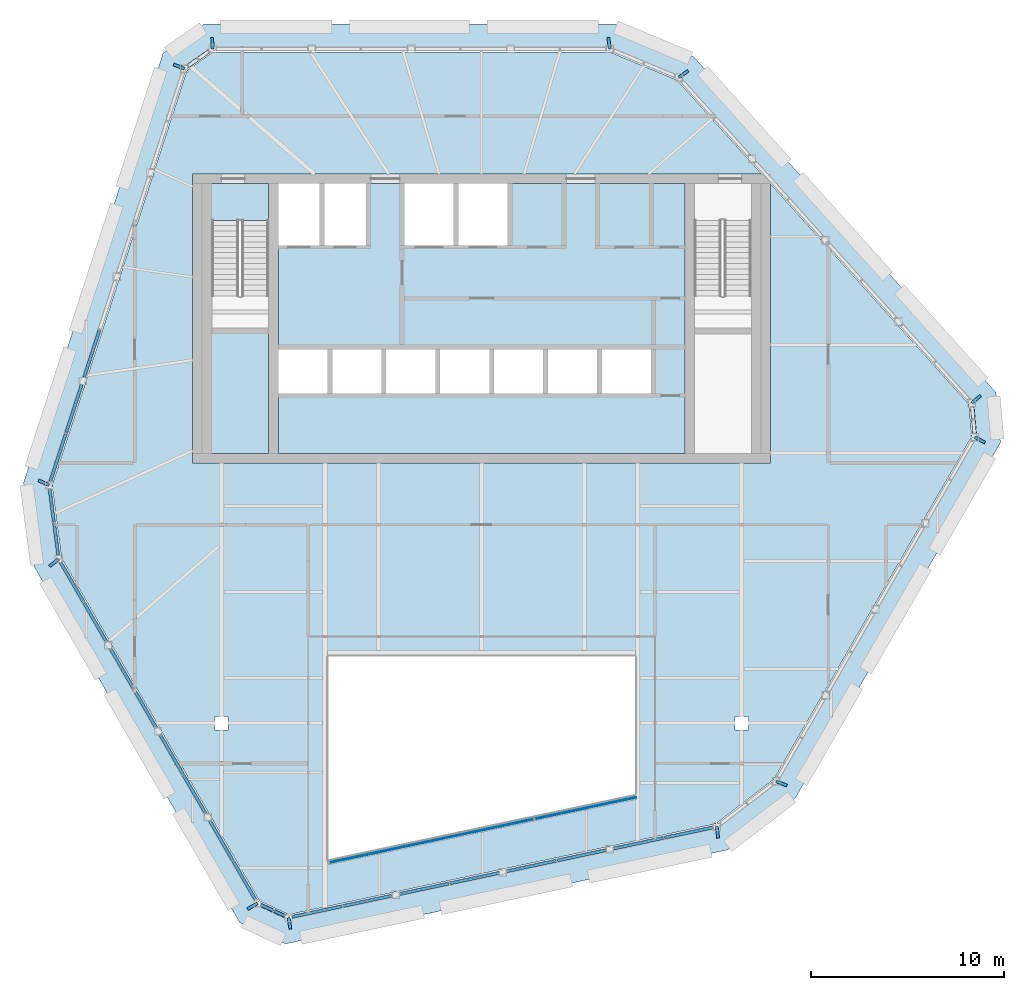
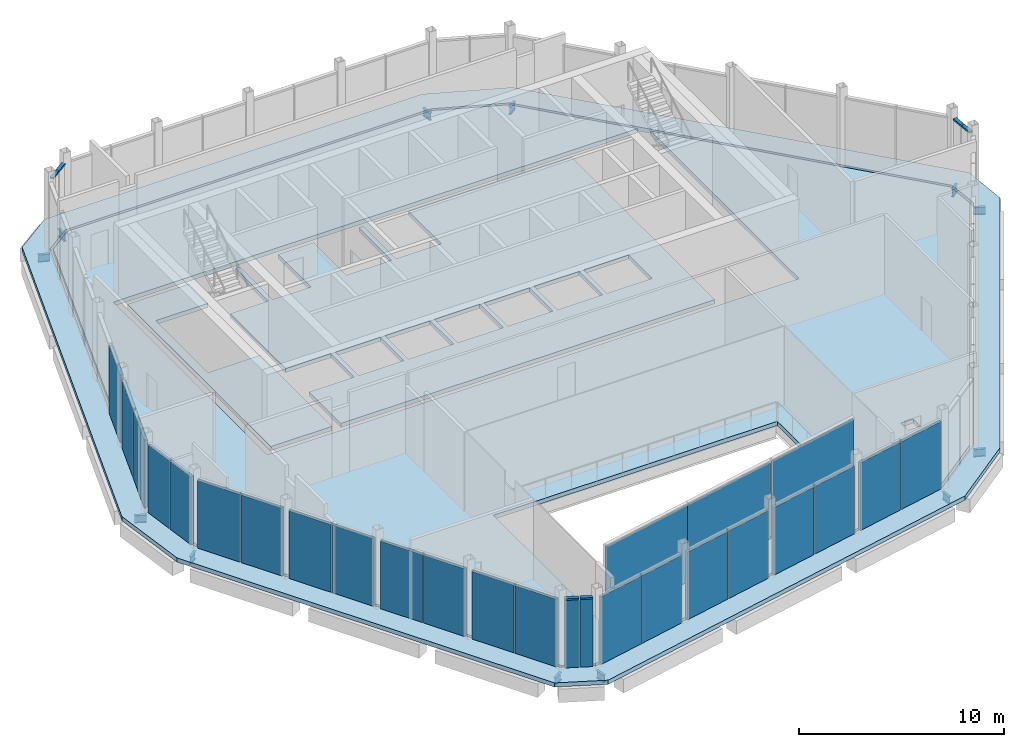
# One storey, part 7 of 12: 26 plates, 12 beams, 6 members, 4 slabs, 8 elements without a shape of their own.
"""IFC4 building model written with IfcOpenShell, lengths in metres."""

from ifc_helpers import new_model, si_unit, direction, frame, origin, origin_2d, place, context, subcontext, project, spatial, polyline, rectangle, i_section, outline, extrude, material, layer, layer_set, material_profile, profile_set, type_object, element, aggregate, save


model = new_model("IFC4")

# Units and contexts
model_context = context("Model", 3, precision=1e-05, world=origin(), true_north=direction((0.0, 1.0)))
body_context = subcontext(model_context, "Body", "Model", "MODEL_VIEW")
ifc_project = project(units=[si_unit("LENGTHUNIT", "METRE"), si_unit("AREAUNIT", "SQUARE_METRE"), si_unit("VOLUMEUNIT", "CUBIC_METRE"), si_unit("PLANEANGLEUNIT", "RADIAN"), si_unit("MASSUNIT", "GRAM", prefix="KILO")], contexts=[model_context])

# Site, building, storey
site_placement = place(None, origin())
site = spatial("IfcSite", under=ifc_project, at=site_placement, CompositionType="ELEMENT")
building_placement = place(site_placement, origin())
building = spatial("IfcBuilding", under=site, at=building_placement, Name="Isthmus Gate Tower", CompositionType="ELEMENT")
storey_placement = place(building_placement, frame((0.0, 0.0, 301.10009765625)))
storey = spatial("IfcBuildingStorey", under=building, at=storey_placement, Name="C1", CompositionType="ELEMENT", Elevation=301.10009765625)

# Curtain wall, members
ifc_material_1 = material(Name="Aluminium, pale champagne anodised", Category="aluminium")
ifc_layer_1 = layer(ifc_material_1, 0.199951171875)
ifc_layer_set_1 = layer_set([ifc_layer_1], Name="CW-2 LOUVRE CURTAIN WALL 200 DEEP")
curtain_wall_type_1 = type_object("IfcCurtainWallType", Name="CW-2 LOUVRE CURTAIN WALL 200 DEEP", PredefinedType="NOTDEFINED", material=ifc_layer_set_1)
curtain_wall_1_placement = place(storey_placement, origin())
curtain_wall_1 = element("IfcCurtainWall", 1, at=curtain_wall_1_placement, inside=storey, type_object=curtain_wall_type_1, Name="CW-2 E01 C1", PredefinedType="NOTDEFINED")
ifc_material_2 = material(Name="Aluminium, pale champagne anodised", Category="aluminium")
ifc_material_profile_1 = material_profile(ifc_material_2, rectangle(XDim=0.199951171875, YDim=0.10009765625, at=origin_2d()), Name="200x100")
ifc_profile_set_1 = profile_set([ifc_material_profile_1], Name="Aluminium, pale champagne anodised")
member_type = type_object("IfcMemberType", Name="CW-2 TRANSOM 200 X 100", PredefinedType="USERDEFINED", material=ifc_profile_set_1)
member_1_placement = place(storey_placement, frame((-14.135498046875, 21.383056640625, 4.083984375), z_axis=(-0.818010863048, -0.575202771148, 0.0), x_axis=(0.575202771148, -0.818010863048, 0.0)))
member_1 = element("IfcMember", 2, at=member_1_placement, type_object=member_type, Name="CW-2 transom", ObjectType="TRANSOM", PredefinedType="USERDEFINED", context=body_context, shape_type="SweptSolid", body=[
    extrude(rectangle(XDim=0.199951171875, YDim=0.10009765625, at=origin_2d()), origin(), (0.0, 0.0, 1.0), 0.686767578125),
])
member_2_placement = place(storey_placement, frame((-14.74609375, 20.953369140625, 4.083984375), z_axis=(-0.817948972464, -0.575290777299, 0.0), x_axis=(0.575290777299, -0.817948972464, 0.0)))
member_2 = element("IfcMember", 3, at=member_2_placement, type_object=member_type, Name="CW-2 transom", ObjectType="TRANSOM", PredefinedType="USERDEFINED", context=body_context, shape_type="SweptSolid", body=[
    extrude(rectangle(XDim=0.199951171875, YDim=0.10009765625, at=origin_2d()), origin(), (0.0, 0.0, 1.0), 0.626708984375),
])
aggregate(curtain_wall_1, [member_1, member_2])

curtain_wall_2_placement = place(storey_placement, origin())
curtain_wall_2 = element("IfcCurtainWall", 4, at=curtain_wall_2_placement, inside=storey, type_object=curtain_wall_type_1, Name="CW-2 E05 C1", PredefinedType="NOTDEFINED")
member_3_placement = place(storey_placement, frame((-11.450439453125, -22.933349609375, 4.083984375), z_axis=(0.907198069931, -0.420703769788, 0.0), x_axis=(0.420703769788, 0.907198069931, 0.0)))
member_3 = element("IfcMember", 5, at=member_3_placement, type_object=member_type, Name="CW-2 transom", ObjectType="TRANSOM", PredefinedType="USERDEFINED", context=body_context, shape_type="SweptSolid", body=[
    extrude(rectangle(XDim=0.199951171875, YDim=0.10009765625, at=origin_2d()), origin(), (0.0, 0.0, 1.0), 0.6865234375),
])
member_4_placement = place(storey_placement, frame((-10.773193359375, -23.247314453125, 4.083984375), z_axis=(0.90720547109, -0.420687809694, 0.0), x_axis=(0.420687809694, 0.90720547109, 0.0)))
member_4 = element("IfcMember", 6, at=member_4_placement, type_object=member_type, Name="CW-2 transom", ObjectType="TRANSOM", PredefinedType="USERDEFINED", context=body_context, shape_type="SweptSolid", body=[
    extrude(rectangle(XDim=0.199951171875, YDim=0.10009765625, at=origin_2d()), origin(), (0.0, 0.0, 1.0), 0.626708984375),
])

curtain_wall_3_placement = place(storey_placement, origin())
curtain_wall_3 = element("IfcCurtainWall", 7, at=curtain_wall_3_placement, inside=storey, type_object=curtain_wall_type_1, Name="CW-2 E09 C1", PredefinedType="NOTDEFINED")
member_5_placement = place(storey_placement, frame((25.5859375, 1.55029296875, 4.083984375), z_axis=(-0.089253213464, 0.996008967774, 0.0), x_axis=(-0.996008967774, -0.089253213464, 0.0)))
member_5 = element("IfcMember", 8, at=member_5_placement, type_object=member_type, Name="CW-2 transom", ObjectType="TRANSOM", PredefinedType="USERDEFINED", context=body_context, shape_type="SweptSolid", body=[
    extrude(rectangle(XDim=0.199951171875, YDim=0.10009765625, at=origin_2d()), origin(), (0.0, 0.0, 1.0), 0.6865234375),
])
member_6_placement = place(storey_placement, frame((25.519287109375, 2.2939453125, 4.083984375), z_axis=(-0.089235685941, 0.996010538275, 0.0), x_axis=(-0.996010538275, -0.089235685941, 0.0)))
member_6 = element("IfcMember", 9, at=member_6_placement, type_object=member_type, Name="CW-2 transom", ObjectType="TRANSOM", PredefinedType="USERDEFINED", context=body_context, shape_type="SweptSolid", body=[
    extrude(rectangle(XDim=0.199951171875, YDim=0.10009765625, at=origin_2d()), origin(), (0.0, 0.0, 1.0), 0.62646484375),
])
aggregate(curtain_wall_3, [member_5, member_6])

# Beams
ifc_material_3 = material(Name="Structural steel ASTM A992 Gr 50", Category="steel")
ifc_material_profile_2 = material_profile(ifc_material_3, i_section(OverallWidth=0.15234375, OverallDepth=0.45068359375, WebThickness=0.0078125, FlangeThickness=0.010986328125, at=origin_2d()), Name="W18X35")
ifc_profile_set_2 = profile_set([ifc_material_profile_2], Name="Structural steel ASTM A992 Gr 50")
beam_type = type_object("IfcBeamType", Name="STEEL LEDGE BEAM W18X35", PredefinedType="JOIST", material=ifc_profile_set_2)
beam_1_placement = place(storey_placement, frame((6.659912109375, 21.5, -0.4755859375), z_axis=(-0.141759638025, 0.989901108711, 0.0), x_axis=(-0.989901108711, -0.141759638025, 0.0)))
element("IfcBeam", 10, at=beam_1_placement, inside=storey, type_object=beam_type, Name="str-ringstub-C1-01", PredefinedType="JOIST", context=body_context, shape_type="SweptSolid", body=[
    extrude(i_section(OverallWidth=0.15234375, OverallDepth=0.45068359375, WebThickness=0.0078125, FlangeThickness=0.010986328125, at=origin_2d()), origin(), (0.0, 0.0, 1.0), 0.606201171875),
])
beam_2_placement = place(storey_placement, frame((-13.96923828125, 21.5, -0.4755859375), z_axis=(-0.023589853458, 0.999721720687, 0.0), x_axis=(-0.999721720687, -0.023589853458, 0.0)))
element("IfcBeam", 11, at=beam_2_placement, inside=storey, type_object=beam_type, Name="str-ringstub-C1-02", PredefinedType="JOIST", context=body_context, shape_type="SweptSolid", body=[
    extrude(i_section(OverallWidth=0.15234375, OverallDepth=0.45068359375, WebThickness=0.0078125, FlangeThickness=0.010986328125, at=origin_2d()), origin(), (0.0, 0.0, 1.0), 0.600341796875),
])
beam_3_placement = place(storey_placement, frame((-15.425048828125, 20.475830078125, -0.4755859375), z_axis=(-0.935238981571, 0.354017015623, 0.0), x_axis=(-0.354017015623, -0.935238981571, 0.0)))
element("IfcBeam", 12, at=beam_3_placement, inside=storey, type_object=beam_type, Name="str-ringstub-C1-03", PredefinedType="JOIST", context=body_context, shape_type="SweptSolid", body=[
    extrude(i_section(OverallWidth=0.15234375, OverallDepth=0.45068359375, WebThickness=0.0078125, FlangeThickness=0.010986328125, at=origin_2d()), origin(), (0.0, 0.0, 1.0), 0.6005859375),
])
beam_4_placement = place(storey_placement, frame((-22.449462890625, -1.1435546875, -0.4755859375), z_axis=(-0.913076021901, 0.407789379741, 0.0), x_axis=(-0.407789379741, -0.913076021901, 0.0)))
element("IfcBeam", 13, at=beam_4_placement, inside=storey, type_object=beam_type, Name="str-ringstub-C1-04", PredefinedType="JOIST", context=body_context, shape_type="SweptSolid", body=[
    extrude(i_section(OverallWidth=0.15234375, OverallDepth=0.45068359375, WebThickness=0.0078125, FlangeThickness=0.010986328125, at=origin_2d()), origin(), (0.0, 0.0, 1.0), 0.603515625),
])
beam_5_placement = place(storey_placement, frame((-21.949462890625, -4.982177734375, -0.4755859375), z_axis=(-0.78626242668, -0.617892706213, 0.0), x_axis=(0.617892706213, -0.78626242668, 0.0)))
element("IfcBeam", 14, at=beam_5_placement, inside=storey, type_object=beam_type, Name="str-ringstub-C1-05", PredefinedType="JOIST", context=body_context, shape_type="SweptSolid", body=[
    extrude(i_section(OverallWidth=0.15234375, OverallDepth=0.45068359375, WebThickness=0.0078125, FlangeThickness=0.010986328125, at=origin_2d()), origin(), (0.0, 0.0, 1.0), 0.606201171875),
])
beam_6_placement = place(storey_placement, frame((-11.634765625, -22.847900390625, -0.4755859375), z_axis=(-0.85406501844, -0.520166265993, 0.0), x_axis=(0.520166265993, -0.85406501844, 0.0)))
element("IfcBeam", 15, at=beam_6_placement, inside=storey, type_object=beam_type, Name="str-ringstub-C1-06", PredefinedType="JOIST", context=body_context, shape_type="SweptSolid", body=[
    extrude(i_section(OverallWidth=0.15234375, OverallDepth=0.45068359375, WebThickness=0.0078125, FlangeThickness=0.010986328125, at=origin_2d()), origin(), (0.0, 0.0, 1.0), 0.600341796875),
])
beam_7_placement = place(storey_placement, frame((-10.020263671875, -23.596435546875, -0.4755859375), z_axis=(0.161366208903, -0.986894597525, 0.0), x_axis=(0.986894597525, 0.161366208903, 0.0)))
element("IfcBeam", 16, at=beam_7_placement, inside=storey, type_object=beam_type, Name="str-ringstub-C1-07", PredefinedType="JOIST", context=body_context, shape_type="SweptSolid", body=[
    extrude(i_section(OverallWidth=0.15234375, OverallDepth=0.45068359375, WebThickness=0.0078125, FlangeThickness=0.010986328125, at=origin_2d()), origin(), (0.0, 0.0, 1.0), 0.6005859375),
])
beam_8_placement = place(storey_placement, frame((12.215087890625, -18.8701171875, -0.4755859375), z_axis=(0.103589404972, -0.994620146175, 0.0), x_axis=(0.994620146175, 0.103589404972, 0.0)))
element("IfcBeam", 17, at=beam_8_placement, inside=storey, type_object=beam_type, Name="str-ringstub-C1-08", PredefinedType="JOIST", context=body_context, shape_type="SweptSolid", body=[
    extrude(i_section(OverallWidth=0.15234375, OverallDepth=0.45068359375, WebThickness=0.0078125, FlangeThickness=0.010986328125, at=origin_2d()), origin(), (0.0, 0.0, 1.0), 0.603271484375),
])
beam_9_placement = place(storey_placement, frame((15.28955078125, -16.517822265625, -0.4755859375), z_axis=(0.928337746809, -0.371737848288, 0.0), x_axis=(0.371737848288, 0.928337746809, 0.0)))
element("IfcBeam", 18, at=beam_9_placement, inside=storey, type_object=beam_type, Name="str-ringstub-C1-09", PredefinedType="JOIST", context=body_context, shape_type="SweptSolid", body=[
    extrude(i_section(OverallWidth=0.15234375, OverallDepth=0.45068359375, WebThickness=0.0078125, FlangeThickness=0.010986328125, at=origin_2d()), origin(), (0.0, 0.0, 1.0), 0.606201171875),
])
beam_10_placement = place(storey_placement, frame((25.604248046875, 1.347900390625, -0.4755859375), z_axis=(0.877475476437, -0.479621505201, 0.0), x_axis=(0.479621505201, 0.877475476437, 0.0)))
element("IfcBeam", 19, at=beam_10_placement, inside=storey, type_object=beam_type, Name="str-ringstub-C1-10", PredefinedType="JOIST", context=body_context, shape_type="SweptSolid", body=[
    extrude(i_section(OverallWidth=0.15234375, OverallDepth=0.45068359375, WebThickness=0.0078125, FlangeThickness=0.010986328125, at=origin_2d()), origin(), (0.0, 0.0, 1.0), 0.60009765625),
])
beam_11_placement = place(storey_placement, frame((25.445068359375, 3.120361328125, -0.4755859375), z_axis=(0.77408401454, 0.633082884332, 0.0), x_axis=(-0.633082884332, 0.77408401454, 0.0)))
element("IfcBeam", 20, at=beam_11_placement, inside=storey, type_object=beam_type, Name="str-ringstub-C1-11", PredefinedType="JOIST", context=body_context, shape_type="SweptSolid", body=[
    extrude(i_section(OverallWidth=0.15234375, OverallDepth=0.45068359375, WebThickness=0.0078125, FlangeThickness=0.010986328125, at=origin_2d()), origin(), (0.0, 0.0, 1.0), 0.600830078125),
])
beam_12_placement = place(storey_placement, frame((10.234375, 20.013671875, -0.4755859375), z_axis=(0.809749842777, 0.586775248389, 0.0), x_axis=(-0.586775248389, 0.809749842777, 0.0)))
element("IfcBeam", 21, at=beam_12_placement, inside=storey, type_object=beam_type, Name="str-ringstub-C1-12", PredefinedType="JOIST", context=body_context, shape_type="SweptSolid", body=[
    extrude(i_section(OverallWidth=0.15234375, OverallDepth=0.45068359375, WebThickness=0.0078125, FlangeThickness=0.010986328125, at=origin_2d()), origin(), (0.0, 0.0, 1.0), 0.603271484375),
])

# Slabs
ifc_material_4 = material(Name="Concrete f'c 40 MPa", Category="concrete")
ifc_layer_2 = layer(ifc_material_4, 0.25)
ifc_layer_set_2 = layer_set([ifc_layer_2], Name="CORE FLOOR SLAB 250")
slab_type_1 = type_object("IfcSlabType", Name="CORE FLOOR SLAB 250", PredefinedType="FLOOR", material=ifc_layer_set_2)
slab_1_placement = place(storey_placement, frame((0.0, 0.0, -0.25)))
element("IfcSlab", 22, at=slab_1_placement, inside=storey, type_object=slab_type_1, Name="C1 core floor", PredefinedType="FLOOR", context=body_context, shape_type="SweptSolid", body=[
    extrude(outline(polyline([(-11.050048828125, 0.5), (-11.050048828125, 7.5), (-14.0, 7.5), (-14.0, 12.597900390625), (-11.050048828125, 12.597900390625), (-11.050048828125, 14.5), (-14.5, 14.5), (-14.5, 0.5), (-11.050048828125, 0.5)])), origin(), (0.0, 0.0, 1.0), 0.25),
])
slab_2_placement = place(storey_placement, frame((0.0, 0.0, -0.25)))
element("IfcSlab", 23, at=slab_2_placement, inside=storey, type_object=slab_type_1, Name="C1 core floor", PredefinedType="FLOOR", context=body_context, shape_type="SweptSolid", body=[
    extrude(outline(polyline([(10.550048828125, 14.5), (1.35009765625, 14.5), (1.35009765625, 11.300048828125), (-1.199951171875, 11.300048828125), (-1.199951171875, 14.5), (-1.449951171875, 14.5), (-1.449951171875, 11.300048828125), (-4.0, 11.300048828125), (-4.0, 14.5), (-6.0, 14.5), (-6.0, 11.300048828125), (-8.14990234375, 11.300048828125), (-8.14990234375, 14.5), (-8.39990234375, 14.5), (-8.39990234375, 11.300048828125), (-10.550048828125, 11.300048828125), (-10.550048828125, 5.89990234375), (-8.0, 5.89990234375), (-8.0, 3.60009765625), (-10.550048828125, 3.60009765625), (-10.550048828125, 0.5), (10.550048828125, 0.5), (10.550048828125, 14.5)]), holes=[polyline([(-5.199951171875, 5.89990234375), (-5.199951171875, 3.60009765625), (-7.75, 3.60009765625), (-7.75, 5.89990234375), (-5.199951171875, 5.89990234375)]), polyline([(-2.39990234375, 5.89990234375), (-2.39990234375, 3.60009765625), (-4.949951171875, 3.60009765625), (-4.949951171875, 5.89990234375), (-2.39990234375, 5.89990234375)]), polyline([(0.39990234375, 5.89990234375), (0.39990234375, 3.60009765625), (-2.14990234375, 3.60009765625), (-2.14990234375, 5.89990234375), (0.39990234375, 5.89990234375)]), polyline([(3.199951171875, 5.89990234375), (3.199951171875, 3.60009765625), (0.64990234375, 3.60009765625), (0.64990234375, 5.89990234375), (3.199951171875, 5.89990234375)]), polyline([(6.0, 5.89990234375), (6.0, 3.60009765625), (3.449951171875, 3.60009765625), (3.449951171875, 5.89990234375), (6.0, 5.89990234375)]), polyline([(8.800048828125, 5.89990234375), (8.800048828125, 3.60009765625), (6.25, 3.60009765625), (6.25, 5.89990234375), (8.800048828125, 5.89990234375)])]), origin(), (0.0, 0.0, 1.0), 0.25),
])
ifc_material_5 = material(Name="Concrete f'c 40 MPa", Category="concrete")
ifc_layer_3 = layer(ifc_material_5, 0.25)
ifc_layer_set_3 = layer_set([ifc_layer_3], Name="CROWN PLANT FLOOR SLAB 250")
slab_type_2 = type_object("IfcSlabType", Name="CROWN PLANT FLOOR SLAB 250", PredefinedType="FLOOR", material=ifc_layer_set_3)
slab_3_placement = place(storey_placement, frame((0.0, 0.0, -0.25)))
element("IfcSlab", 24, at=slab_3_placement, inside=storey, type_object=slab_type_2, Name="str-slab-C1-1", PredefinedType="FLOOR", context=body_context, shape_type="SweptSolid", body=[
    extrude(outline(polyline([(10.1455078125, 19.88818359375), (14.546875, 15.0), (-15.0, 15.0), (-15.0, 0.0), (15.0, 0.0), (15.0, 14.496826171875), (25.30029296875, 3.05712890625), (25.45068359375, 1.381591796875), (15.174560546875, -16.416748046875), (12.15087890625, -18.73046875), (-10.00244140625, -23.439208984375), (-11.52880859375, -22.731689453125), (-21.8046875, -4.93310546875), (-22.29638671875, -1.15771484375), (-15.297607421875, 20.382080078125), (-13.921875, 21.35009765625), (6.630126953125, 21.35009765625), (10.1455078125, 19.88818359375)]), holes=[polyline([(-8.0, -10.0), (-8.0, -20.611083984375), (8.0, -17.210205078125), (8.0, -10.0), (-8.0, -10.0)]), polyline([(-13.85009765625, -13.14990234375), (-13.85009765625, -13.85009765625), (-13.14990234375, -13.85009765625), (-13.14990234375, -13.14990234375), (-13.85009765625, -13.14990234375)]), polyline([(13.14990234375, -13.14990234375), (13.14990234375, -13.85009765625), (13.85009765625, -13.85009765625), (13.85009765625, -13.14990234375), (13.14990234375, -13.14990234375)])]), origin(), (0.0, 0.0, 1.0), 0.25),
])

# Curtain wall, plates
curtain_wall_4_placement = place(storey_placement, origin())
curtain_wall_4 = element("IfcCurtainWall", 25, at=curtain_wall_4_placement, inside=storey, type_object=curtain_wall_type_1, Name="CW-2 E02 C1", PredefinedType="NOTDEFINED")
ifc_material_6 = material(Name="Aluminium louvre blades, pale champagne anodised", Category="aluminium")
ifc_layer_4 = layer(ifc_material_6, 0.159912109375)
ifc_layer_set_4 = layer_set([ifc_layer_4], Name="CW-2 LOUVRE PANEL 160")
plate_type_1 = type_object("IfcPlateType", Name="CW-2 LOUVRE PANEL 160", PredefinedType="CURTAIN_PANEL", material=ifc_layer_set_4)
plate_1_placement = place(storey_placement, frame((-20.232177734375, 5.6806640625, -0.000244140625), z_axis=(0.0, 0.0, 1.0), x_axis=(-0.309016994375, -0.951056516295, 0.0)))
plate_1 = element("IfcPlate", 26, at=plate_1_placement, type_object=plate_type_1, Name="CW-2 louvre panel", PredefinedType="CURTAIN_PANEL", context=body_context, shape_type="SweptSolid", body=[
    extrude(rectangle(XDim=2.578369140625, YDim=0.159912109375, at=origin_2d()), origin(), (0.0, 0.0, 1.0), 4.0341796875),
])
plate_2_placement = place(storey_placement, frame((-21.163818359375, 2.8134765625, -0.000244140625), z_axis=(0.0, 0.0, 1.0), x_axis=(-0.309016994375, -0.951056516295, 0.0)))
plate_2 = element("IfcPlate", 27, at=plate_2_placement, type_object=plate_type_1, Name="CW-2 louvre panel", PredefinedType="CURTAIN_PANEL", context=body_context, shape_type="SweptSolid", body=[
    extrude(rectangle(XDim=2.638427734375, YDim=0.159912109375, at=origin_2d()), origin(), (0.0, 0.0, 1.0), 4.0341796875),
])
plate_3_placement = place(storey_placement, frame((-21.98828125, 0.275634765625, -0.000244140625), z_axis=(0.0, 0.0, 1.0), x_axis=(-0.309016994375, -0.951056516295, 0.0)))
plate_3 = element("IfcPlate", 28, at=plate_3_placement, type_object=plate_type_1, Name="CW-2 louvre panel", PredefinedType="CURTAIN_PANEL", context=body_context, shape_type="SweptSolid", body=[
    extrude(rectangle(XDim=2.578369140625, YDim=0.159912109375, at=origin_2d()), origin(), (0.0, 0.0, 1.0), 4.0341796875),
])
aggregate(curtain_wall_4, [plate_1, plate_2, plate_3])

curtain_wall_5_placement = place(storey_placement, origin())
curtain_wall_5 = element("IfcCurtainWall", 29, at=curtain_wall_5_placement, inside=storey, type_object=curtain_wall_type_1, Name="CW-2 E03 C1", PredefinedType="NOTDEFINED")
plate_4_placement = place(storey_placement, frame((-22.3115234375, -2.2041015625, -0.000244140625), z_axis=(0.0, 0.0, 1.0), x_axis=(0.129164534, -0.991623175988, 0.0)))
plate_4 = element("IfcPlate", 30, at=plate_4_placement, type_object=plate_type_1, Name="CW-2 louvre panel", PredefinedType="CURTAIN_PANEL", context=body_context, shape_type="SweptSolid", body=[
    extrude(rectangle(XDim=1.732421875, YDim=0.159912109375, at=origin_2d()), origin(), (0.0, 0.0, 1.0), 4.0341796875),
])
plate_5_placement = place(storey_placement, frame((-22.083740234375, -3.95166015625, -0.000244140625), z_axis=(0.0, 0.0, 1.0), x_axis=(0.129164534, -0.991623175988, 0.0)))
plate_5 = element("IfcPlate", 31, at=plate_5_placement, type_object=plate_type_1, Name="CW-2 louvre panel", PredefinedType="CURTAIN_PANEL", context=body_context, shape_type="SweptSolid", body=[
    extrude(rectangle(XDim=1.67236328125, YDim=0.159912109375, at=origin_2d()), origin(), (0.0, 0.0, 1.0), 4.0341796875),
])
aggregate(curtain_wall_5, [plate_4, plate_5])

curtain_wall_6_placement = place(storey_placement, origin())
curtain_wall_6 = element("IfcCurtainWall", 32, at=curtain_wall_6_placement, inside=storey, type_object=curtain_wall_type_1, Name="CW-2 E04 C1", PredefinedType="NOTDEFINED")
plate_6_placement = place(storey_placement, frame((-21.254150390625, -6.186767578125, -0.000244140625), z_axis=(0.0, 0.0, 1.0), x_axis=(0.5, -0.866025403784, 0.0)))
plate_6 = element("IfcPlate", 33, at=plate_6_placement, type_object=plate_type_1, Name="CW-2 louvre panel", PredefinedType="CURTAIN_PANEL", context=body_context, shape_type="SweptSolid", body=[
    extrude(rectangle(XDim=2.37548828125, YDim=0.159912109375, at=origin_2d()), origin(), (0.0, 0.0, 1.0), 4.0341796875),
])
plate_7_placement = place(storey_placement, frame((-20.05126953125, -8.27001953125, -0.000244140625), z_axis=(0.0, 0.0, 1.0), x_axis=(0.5, -0.866025403784, 0.0)))
plate_7 = element("IfcPlate", 34, at=plate_7_placement, type_object=plate_type_1, Name="CW-2 louvre panel", PredefinedType="CURTAIN_PANEL", context=body_context, shape_type="SweptSolid", body=[
    extrude(rectangle(XDim=2.3154296875, YDim=0.159912109375, at=origin_2d()), origin(), (0.0, 0.0, 1.0), 4.0341796875),
])
plate_8_placement = place(storey_placement, frame((-18.67529296875, -10.6533203125, -0.000244140625), z_axis=(0.0, 0.0, 1.0), x_axis=(0.5, -0.866025403784, 0.0)))
plate_8 = element("IfcPlate", 35, at=plate_8_placement, type_object=plate_type_1, Name="CW-2 louvre panel", PredefinedType="CURTAIN_PANEL", context=body_context, shape_type="SweptSolid", body=[
    extrude(rectangle(XDim=2.37548828125, YDim=0.159912109375, at=origin_2d()), origin(), (0.0, 0.0, 1.0), 4.0341796875),
])
plate_9_placement = place(storey_placement, frame((-17.47265625, -12.736328125, -0.000244140625), z_axis=(0.0, 0.0, 1.0), x_axis=(0.5, -0.866025403784, 0.0)))
plate_9 = element("IfcPlate", 36, at=plate_9_placement, type_object=plate_type_1, Name="CW-2 louvre panel", PredefinedType="CURTAIN_PANEL", context=body_context, shape_type="SweptSolid", body=[
    extrude(rectangle(XDim=2.3154296875, YDim=0.159912109375, at=origin_2d()), origin(), (0.0, 0.0, 1.0), 4.0341796875),
])
plate_10_placement = place(storey_placement, frame((-16.0966796875, -15.11962890625, -0.000244140625), z_axis=(0.0, 0.0, 1.0), x_axis=(0.5, -0.866025403784, 0.0)))
plate_10 = element("IfcPlate", 37, at=plate_10_placement, type_object=plate_type_1, Name="CW-2 louvre panel", PredefinedType="CURTAIN_PANEL", context=body_context, shape_type="SweptSolid", body=[
    extrude(rectangle(XDim=2.37548828125, YDim=0.159912109375, at=origin_2d()), origin(), (0.0, 0.0, 1.0), 4.0341796875),
])
plate_11_placement = place(storey_placement, frame((-14.89404296875, -17.202880859375, -0.000244140625), z_axis=(0.0, 0.0, 1.0), x_axis=(0.5, -0.866025403784, 0.0)))
plate_11 = element("IfcPlate", 38, at=plate_11_placement, type_object=plate_type_1, Name="CW-2 louvre panel", PredefinedType="CURTAIN_PANEL", context=body_context, shape_type="SweptSolid", body=[
    extrude(rectangle(XDim=2.3154296875, YDim=0.159912109375, at=origin_2d()), origin(), (0.0, 0.0, 1.0), 4.0341796875),
])
plate_12_placement = place(storey_placement, frame((-13.51806640625, -19.5859375, -0.000244140625), z_axis=(0.0, 0.0, 1.0), x_axis=(0.5, -0.866025403784, 0.0)))
plate_12 = element("IfcPlate", 39, at=plate_12_placement, type_object=plate_type_1, Name="CW-2 louvre panel", PredefinedType="CURTAIN_PANEL", context=body_context, shape_type="SweptSolid", body=[
    extrude(rectangle(XDim=2.37548828125, YDim=0.159912109375, at=origin_2d()), origin(), (0.0, 0.0, 1.0), 4.0341796875),
])
plate_13_placement = place(storey_placement, frame((-12.3154296875, -21.669189453125, -0.000244140625), z_axis=(0.0, 0.0, 1.0), x_axis=(0.5, -0.866025403784, 0.0)))
plate_13 = element("IfcPlate", 40, at=plate_13_placement, type_object=plate_type_1, Name="CW-2 louvre panel", PredefinedType="CURTAIN_PANEL", context=body_context, shape_type="SweptSolid", body=[
    extrude(rectangle(XDim=2.3154296875, YDim=0.159912109375, at=origin_2d()), origin(), (0.0, 0.0, 1.0), 4.0341796875),
])
aggregate(curtain_wall_6, [plate_6, plate_7, plate_8, plate_9, plate_10, plate_11, plate_12, plate_13])

# Plate
plate_14_placement = place(storey_placement, frame((-11.138916015625, -23.07763671875, -0.000244140625), z_axis=(0.0, 0.0, 1.0), x_axis=(0.907256261367, -0.420578264073, 0.0)))
plate_14 = element("IfcPlate", 41, at=plate_14_placement, type_object=plate_type_1, Name="CW-2 louvre panel", PredefinedType="CURTAIN_PANEL", context=body_context, shape_type="SweptSolid", body=[
    extrude(rectangle(XDim=0.686767578125, YDim=0.159912109375, at=origin_2d()), origin(), (0.0, 0.0, 1.0), 4.0341796875),
])

plate_15_placement = place(storey_placement, frame((-10.48876953125, -23.379150390625, -0.000244140625), z_axis=(0.0, 0.0, 1.0), x_axis=(0.907256261367, -0.420578264073, 0.0)))
plate_15 = element("IfcPlate", 42, at=plate_15_placement, type_object=plate_type_1, Name="CW-2 louvre panel", PredefinedType="CURTAIN_PANEL", context=body_context, shape_type="SweptSolid", body=[
    extrude(rectangle(XDim=0.626708984375, YDim=0.159912109375, at=origin_2d()), origin(), (0.0, 0.0, 1.0), 4.0341796875),
])

aggregate(curtain_wall_2, [member_3, plate_14, member_4, plate_15])

# Curtain wall, plates
curtain_wall_7_placement = place(storey_placement, origin())
curtain_wall_7 = element("IfcCurtainWall", 43, at=curtain_wall_7_placement, inside=storey, type_object=curtain_wall_type_1, Name="CW-2 E06 C1", PredefinedType="NOTDEFINED")
plate_16_placement = place(storey_placement, frame((-8.531005859375, -23.27978515625, -0.000244140625), z_axis=(0.0, 0.0, 1.0), x_axis=(0.978147600734, 0.207911690818, 0.0)))
plate_16 = element("IfcPlate", 44, at=plate_16_placement, type_object=plate_type_1, Name="CW-2 louvre panel", PredefinedType="CURTAIN_PANEL", context=body_context, shape_type="SweptSolid", body=[
    extrude(rectangle(XDim=2.638427734375, YDim=0.159912109375, at=origin_2d()), origin(), (0.0, 0.0, 1.0), 4.0341796875),
])
plate_17_placement = place(storey_placement, frame((-5.921142578125, -22.72509765625, -0.000244140625), z_axis=(0.0, 0.0, 1.0), x_axis=(0.978147600734, 0.207911690818, 0.0)))
plate_17 = element("IfcPlate", 45, at=plate_17_placement, type_object=plate_type_1, Name="CW-2 louvre panel", PredefinedType="CURTAIN_PANEL", context=body_context, shape_type="SweptSolid", body=[
    extrude(rectangle(XDim=2.578369140625, YDim=0.159912109375, at=origin_2d()), origin(), (0.0, 0.0, 1.0), 4.0341796875),
])
plate_18_placement = place(storey_placement, frame((-2.97216796875, -22.09814453125, -0.000244140625), z_axis=(0.0, 0.0, 1.0), x_axis=(0.978147600734, 0.207911690818, 0.0)))
plate_18 = element("IfcPlate", 46, at=plate_18_placement, type_object=plate_type_1, Name="CW-2 louvre panel", PredefinedType="CURTAIN_PANEL", context=body_context, shape_type="SweptSolid", body=[
    extrude(rectangle(XDim=2.638427734375, YDim=0.159912109375, at=origin_2d()), origin(), (0.0, 0.0, 1.0), 4.0341796875),
])
plate_19_placement = place(storey_placement, frame((-0.3623046875, -21.54345703125, -0.000244140625), z_axis=(0.0, 0.0, 1.0), x_axis=(0.978147600734, 0.207911690818, 0.0)))
plate_19 = element("IfcPlate", 47, at=plate_19_placement, type_object=plate_type_1, Name="CW-2 louvre panel", PredefinedType="CURTAIN_PANEL", context=body_context, shape_type="SweptSolid", body=[
    extrude(rectangle(XDim=2.578369140625, YDim=0.159912109375, at=origin_2d()), origin(), (0.0, 0.0, 1.0), 4.0341796875),
])
plate_20_placement = place(storey_placement, frame((2.586669921875, -20.916748046875, -0.000244140625), z_axis=(0.0, 0.0, 1.0), x_axis=(0.978147600734, 0.207911690818, 0.0)))
plate_20 = element("IfcPlate", 48, at=plate_20_placement, type_object=plate_type_1, Name="CW-2 louvre panel", PredefinedType="CURTAIN_PANEL", context=body_context, shape_type="SweptSolid", body=[
    extrude(rectangle(XDim=2.638427734375, YDim=0.159912109375, at=origin_2d()), origin(), (0.0, 0.0, 1.0), 4.0341796875),
])
plate_21_placement = place(storey_placement, frame((5.196533203125, -20.36181640625, -0.000244140625), z_axis=(0.0, 0.0, 1.0), x_axis=(0.978147600734, 0.207911690818, 0.0)))
plate_21 = element("IfcPlate", 49, at=plate_21_placement, type_object=plate_type_1, Name="CW-2 louvre panel", PredefinedType="CURTAIN_PANEL", context=body_context, shape_type="SweptSolid", body=[
    extrude(rectangle(XDim=2.578369140625, YDim=0.159912109375, at=origin_2d()), origin(), (0.0, 0.0, 1.0), 4.0341796875),
])
plate_22_placement = place(storey_placement, frame((8.1455078125, -19.735107421875, -0.000244140625), z_axis=(0.0, 0.0, 1.0), x_axis=(0.978147600734, 0.207911690818, 0.0)))
plate_22 = element("IfcPlate", 50, at=plate_22_placement, type_object=plate_type_1, Name="CW-2 louvre panel", PredefinedType="CURTAIN_PANEL", context=body_context, shape_type="SweptSolid", body=[
    extrude(rectangle(XDim=2.638427734375, YDim=0.159912109375, at=origin_2d()), origin(), (0.0, 0.0, 1.0), 4.0341796875),
])
plate_23_placement = place(storey_placement, frame((10.75537109375, -19.180419921875, -0.000244140625), z_axis=(0.0, 0.0, 1.0), x_axis=(0.978147600734, 0.207911690818, 0.0)))
plate_23 = element("IfcPlate", 51, at=plate_23_placement, type_object=plate_type_1, Name="CW-2 louvre panel", PredefinedType="CURTAIN_PANEL", context=body_context, shape_type="SweptSolid", body=[
    extrude(rectangle(XDim=2.578369140625, YDim=0.159912109375, at=origin_2d()), origin(), (0.0, 0.0, 1.0), 4.0341796875),
])
aggregate(curtain_wall_7, [plate_16, plate_17, plate_18, plate_19, plate_20, plate_21, plate_22, plate_23])

ifc_material_7 = material(Name="Aluminium, pale champagne anodised", Category="aluminium")
ifc_layer_5 = layer(ifc_material_7, 0.199951171875)
ifc_layer_set_5 = layer_set([ifc_layer_5], Name="CW-4 ATRIUM CURTAIN WALL 200 DEEP")
curtain_wall_type_2 = type_object("IfcCurtainWallType", Name="CW-4 ATRIUM CURTAIN WALL 200 DEEP", PredefinedType="NOTDEFINED", material=ifc_layer_set_5)
curtain_wall_8_placement = place(storey_placement, origin())
curtain_wall_8 = element("IfcCurtainWall", 52, at=curtain_wall_8_placement, inside=storey, type_object=curtain_wall_type_2, Name="CW-4 atrium south C1", PredefinedType="NOTDEFINED")
ifc_material_8 = material(Name="Laminated low-iron glass, clear", Category="glass")
ifc_layer_6 = layer(ifc_material_8, 0.0439453125)
ifc_layer_set_6 = layer_set([ifc_layer_6], Name="CW-4 ATRIUM GLASS PANEL 44")
plate_type_2 = type_object("IfcPlateType", Name="CW-4 ATRIUM GLASS PANEL 44", PredefinedType="CURTAIN_PANEL", material=ifc_layer_set_6)
plate_24_placement = place(storey_placement, frame((-5.262939453125, -20.1826171875, -0.000244140625), z_axis=(0.0, 0.0, 1.0), x_axis=(0.978147600734, 0.207911690818, 0.0)))
plate_24 = element("IfcPlate", 53, at=plate_24_placement, type_object=plate_type_2, Name="CW-4 louvre panel", PredefinedType="CURTAIN_PANEL", context=body_context, shape_type="SweptSolid", body=[
    extrude(rectangle(XDim=5.37255859375, YDim=0.0439453125, at=origin_2d()), origin(), (0.0, 0.0, 1.0), 4.60009765625),
])
plate_25_placement = place(storey_placement, frame((0.03125, -19.057373046875, -0.000244140625), z_axis=(0.0, 0.0, 1.0), x_axis=(0.978147600734, 0.207911690818, 0.0)))
plate_25 = element("IfcPlate", 54, at=plate_25_placement, type_object=plate_type_2, Name="CW-4 louvre panel", PredefinedType="CURTAIN_PANEL", context=body_context, shape_type="SweptSolid", body=[
    extrude(rectangle(XDim=5.452392578125, YDim=0.0439453125, at=origin_2d()), origin(), (0.0, 0.0, 1.0), 4.60009765625),
])
plate_26_placement = place(storey_placement, frame((5.403564453125, -17.91552734375, -0.000244140625), z_axis=(0.0, 0.0, 1.0), x_axis=(0.978147600734, 0.207911690818, 0.0)))
plate_26 = element("IfcPlate", 55, at=plate_26_placement, type_object=plate_type_2, Name="CW-4 louvre panel", PredefinedType="CURTAIN_PANEL", context=body_context, shape_type="SweptSolid", body=[
    extrude(rectangle(XDim=5.37255859375, YDim=0.0439453125, at=origin_2d()), origin(), (0.0, 0.0, 1.0), 4.60009765625),
])
aggregate(curtain_wall_8, [plate_24, plate_25, plate_26])

# Slab
ifc_material_9 = material(Name="Concrete f'c 40 MPa", Category="concrete")
ifc_layer_7 = layer(ifc_material_9, 0.25)
ifc_layer_set_7 = layer_set([ifc_layer_7], Name="LEDGE ROOF SLAB 250")
slab_type_3 = type_object("IfcSlabType", Name="LEDGE ROOF SLAB 250", PredefinedType="ROOF", material=ifc_layer_set_7)
slab_4_placement = place(storey_placement, frame((0.0, 0.0, -0.25)))
element("IfcSlab", 56, at=slab_4_placement, inside=storey, type_object=slab_type_3, Name="str-ledge-C1", PredefinedType="ROOF", context=body_context, shape_type="SweptSolid", body=[
    extrude(outline(polyline([(26.701171875, 3.668212890625), (26.935791015625, 1.05419921875), (16.28564453125, -17.392578125), (12.772216796875, -20.080810546875), (-10.173828125, -24.9580078125), (-12.554931640625, -23.854248046875), (-23.205078125, -5.407470703125), (-23.776611328125, -1.020751953125), (-16.52734375, 21.289794921875), (-14.380859375, 22.800048828125), (6.91943359375, 22.800048828125), (11.00439453125, 21.1015625), (26.701171875, 3.668212890625)]), holes=[polyline([(-15.425048828125, 20.475830078125), (-22.44970703125, -1.1435546875), (-21.949462890625, -4.982421875), (-11.635009765625, -22.847900390625), (-10.020263671875, -23.59619140625), (12.215087890625, -18.8701171875), (15.28955078125, -16.517578125), (25.604248046875, 1.347900390625), (25.445068359375, 3.12060546875), (10.234375, 20.013671875), (6.659912109375, 21.5), (-13.96923828125, 21.5), (-15.425048828125, 20.475830078125)])]), origin(), (0.0, 0.0, 1.0), 0.25),
])

save(model, "model.ifc")
